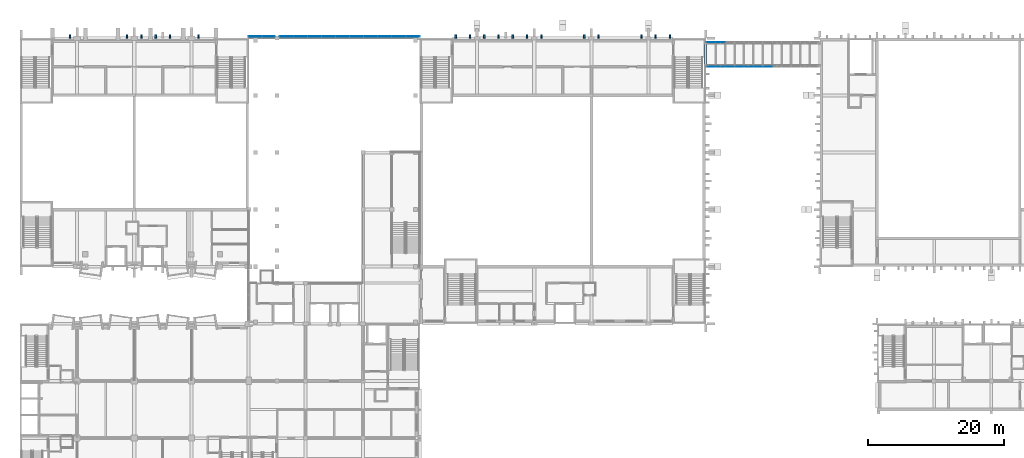
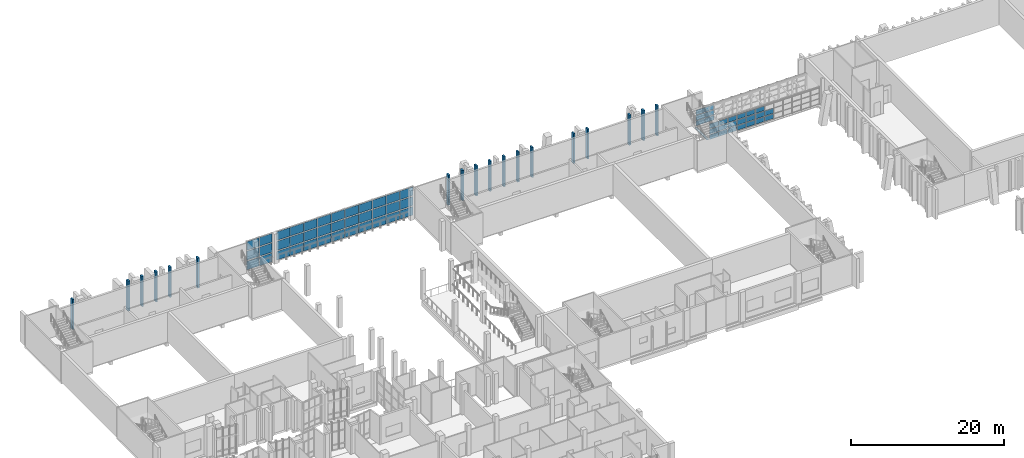
# One storey, part 25 of 91: 81 plates, 4 elements without a shape of their own.
"""IFC4 building model written with IfcOpenShell, lengths in metres."""

from ifc_helpers import new_model, si_unit, direction, frame, origin, origin_2d, place, context, subcontext, project, spatial, rectangle, extrude, material, layer, layer_set, type_object, element, aggregate, save


model = new_model("IFC4")

# Units and contexts
model_context = context("Model", 3, precision=1e-05, world=origin(), true_north=direction((0.0, 1.0)))
body_context = subcontext(model_context, "Body", "Model", "MODEL_VIEW")
ifc_project = project(units=[si_unit("LENGTHUNIT", "METRE"), si_unit("AREAUNIT", "SQUARE_METRE"), si_unit("VOLUMEUNIT", "CUBIC_METRE"), si_unit("PLANEANGLEUNIT", "RADIAN"), si_unit("MASSUNIT", "GRAM", prefix="KILO")], contexts=[model_context])

# Site, building, storey
site_placement = place(None, origin())
site = spatial("IfcSite", under=ifc_project, at=site_placement, CompositionType="ELEMENT")
building_placement = place(site_placement, origin())
building = spatial("IfcBuilding", under=site, at=building_placement, Name="Kiln Court Media Centre", CompositionType="ELEMENT")
storey_placement = place(building_placement, frame((0.0, 0.0, 5.39990234375)))
storey = spatial("IfcBuildingStorey", under=building, at=storey_placement, Name="L01", CompositionType="ELEMENT", Elevation=5.39990234375)

# Plates
ifc_material_1 = material(Name="Concrete C40/50", Category="concrete")
ifc_layer_1 = layer(ifc_material_1, 0.25)
ifc_layer_set_1 = layer_set([ifc_layer_1], Name="Concrete C40/50 shading fin 250")
plate_type_1 = type_object("IfcPlateType", Name="Concrete C40/50 shading fin 250", PredefinedType="SHEET", material=ifc_layer_set_1)
for number, where, z_axis, x_axis, name in (
    (1, (64.050048828125, 67.449951171875, 0.0), (0.0, 0.0, 1.0), (1.0, 0.0, 0.0), "V1 N fin L01"),
    (2, (66.14990234375, 67.449951171875, 0.0), (0.0, 0.0, 1.0), (1.0, 0.0, 0.0), "V1 N fin L01"),
    (3, (68.25, 67.449951171875, 0.0), (0.0, 0.0, 1.0), (1.0, 0.0, 0.0), "V1 N fin L01"),
    (4, (70.35009765625, 67.449951171875, 0.0), (0.0, 0.0, 1.0), (1.0, 0.0, 0.0), "V1 N fin L01"),
    (5, (72.449951171875, 67.449951171875, 0.0), (0.0, 0.0, 1.0), (1.0, 0.0, 0.0), "V1 N fin L01"),
    (6, (74.550048828125, 67.449951171875, 0.0), (0.0, 0.0, 1.0), (1.0, 0.0, 0.0), "V1 N fin L01"),
    (7, (76.64990234375, 67.449951171875, 0.0), (0.0, 0.0, 1.0), (1.0, 0.0, 0.0), "V1 N fin L01"),
    (8, (82.949951171875, 67.449951171875, 0.0), (0.0, 0.0, 1.0), (1.0, 0.0, 0.0), "V1 N fin L01"),
    (9, (85.050048828125, 67.449951171875, 0.0), (0.0, 0.0, 1.0), (1.0, 0.0, 0.0), "V1 N fin L01"),
    (10, (91.35009765625, 67.449951171875, 0.0), (0.0, 0.0, 1.0), (1.0, 0.0, 0.0), "V1 N fin L01"),
    (11, (93.449951171875, 67.449951171875, 0.0), (0.0, 0.0, 1.0), (1.0, 0.0, 0.0), "V1 N fin L01"),
    (12, (95.550048828125, 67.449951171875, 0.0), (0.0, 0.0, 1.0), (1.0, 0.0, 0.0), "V1 N fin L01"),
    (13, (7.35009765625, 67.449951171875, 0.0), (0.0, 0.0, 1.0), (1.0, 0.0, 0.0), "V4 N fin L01"),
    (14, (15.75, 67.449951171875, 0.0), (0.0, 0.0, 1.0), (1.0, 0.0, 0.0), "V4 N fin L01"),
    (15, (17.85009765625, 67.449951171875, 0.0), (0.0, 0.0, 1.0), (1.0, 0.0, 0.0), "V4 N fin L01"),
    (16, (19.949951171875, 67.449951171875, 0.0), (0.0, 0.0, 1.0), (1.0, 0.0, 0.0), "V4 N fin L01"),
    (17, (22.050048828125, 67.449951171875, 0.0), (0.0, 0.0, 1.0), (1.0, 0.0, 0.0), "V4 N fin L01"),
    (18, (26.25, 67.449951171875, 0.0), (0.0, 0.0, 1.0), (1.0, 0.0, 0.0), "V4 N fin L01"),
):
    element("IfcPlate", number, at=place(storey_placement, frame(where, z_axis=z_axis, x_axis=x_axis)), inside=storey, type_object=plate_type_1, Name=name, PredefinedType="SHEET", context=body_context, shape_type="SweptSolid", body=[
        extrude(rectangle(XDim=0.25, YDim=0.5, at=origin_2d()), origin(), (0.0, 0.0, 1.0), 4.800048828125),
    ])

# Curtain wall, plates
ifc_material_2 = material(Name="Aluminium 6063-T6", Category="aluminium")
ifc_layer_2 = layer(ifc_material_2, 0.1201171875)
ifc_layer_set_2 = layer_set([ifc_layer_2], Name="Aluminium unitised curtain wall, bridge")
curtain_wall_type_1 = type_object("IfcCurtainWallType", Name="Aluminium unitised curtain wall, bridge", PredefinedType="USERDEFINED", material=ifc_layer_set_2)
curtain_wall_1_placement = place(storey_placement, origin())
curtain_wall_1 = element("IfcCurtainWall", 19, at=curtain_wall_1_placement, inside=storey, type_object=curtain_wall_type_1, Name="BR-3 side glazing", ObjectType="UNITISED CURTAIN WALL", PredefinedType="USERDEFINED")
ifc_material_3 = material(Name="Aluminium insulated spandrel", Category="aluminium")
ifc_layer_3 = layer(ifc_material_3, 0.028076171875)
ifc_layer_set_3 = layer_set([ifc_layer_3], Name="Insulated aluminium spandrel panel 28")
plate_type_2 = type_object("IfcPlateType", Name="Insulated aluminium spandrel panel 28", PredefinedType="CURTAIN_PANEL", material=ifc_layer_set_3)
plate_1_placement = place(storey_placement, frame((101.604248046875, 63.014892578125, 0.10009765625), z_axis=(0.0, 0.0, 1.0), x_axis=(1.0, 0.0, 0.0)))
plate_1 = element("IfcPlate", 20, at=plate_1_placement, type_object=plate_type_2, Name="CW1-63 panel 1.1", PredefinedType="CURTAIN_PANEL", context=body_context, shape_type="SweptSolid", body=[
    extrude(rectangle(XDim=1.308349609375, YDim=0.028076171875, at=origin_2d()), origin(), (0.0, 0.0, 1.0), 0.74169921875),
])
plate_2_placement = place(storey_placement, frame((101.604248046875, 63.014892578125, 0.94189453125), z_axis=(0.0, 0.0, 1.0), x_axis=(1.0, 0.0, 0.0)))
plate_2 = element("IfcPlate", 21, at=plate_2_placement, type_object=plate_type_2, Name="CW1-63 panel 1.2", PredefinedType="CURTAIN_PANEL", context=body_context, shape_type="SweptSolid", body=[
    extrude(rectangle(XDim=1.308349609375, YDim=0.028076171875, at=origin_2d()), origin(), (0.0, 0.0, 1.0), 0.79150390625),
])
plate_3_placement = place(storey_placement, frame((102.97509765625, 63.014892578125, 0.10009765625), z_axis=(0.0, 0.0, 1.0), x_axis=(1.0, 0.0, 0.0)))
plate_3 = element("IfcPlate", 22, at=plate_3_placement, type_object=plate_type_2, Name="CW1-63 panel 2.1", PredefinedType="CURTAIN_PANEL", context=body_context, shape_type="SweptSolid", body=[
    extrude(rectangle(XDim=1.333251953125, YDim=0.028076171875, at=origin_2d()), origin(), (0.0, 0.0, 1.0), 0.74169921875),
])
plate_4_placement = place(storey_placement, frame((102.97509765625, 63.014892578125, 1.83349609375), z_axis=(0.0, 0.0, 1.0), x_axis=(1.0, 0.0, 0.0)))
plate_4 = element("IfcPlate", 23, at=plate_4_placement, type_object=plate_type_2, Name="CW1-63 panel 2.3", PredefinedType="CURTAIN_PANEL", context=body_context, shape_type="SweptSolid", body=[
    extrude(rectangle(XDim=1.333251953125, YDim=0.028076171875, at=origin_2d()), origin(), (0.0, 0.0, 1.0), 0.74169921875),
])
plate_5_placement = place(storey_placement, frame((104.3583984375, 63.014892578125, 0.10009765625), z_axis=(0.0, 0.0, 1.0), x_axis=(1.0, 0.0, 0.0)))
plate_5 = element("IfcPlate", 24, at=plate_5_placement, type_object=plate_type_2, Name="CW1-63 panel 3.1", PredefinedType="CURTAIN_PANEL", context=body_context, shape_type="SweptSolid", body=[
    extrude(rectangle(XDim=1.333251953125, YDim=0.028076171875, at=origin_2d()), origin(), (0.0, 0.0, 1.0), 0.74169921875),
])
plate_6_placement = place(storey_placement, frame((104.3583984375, 63.014892578125, 0.94189453125), z_axis=(0.0, 0.0, 1.0), x_axis=(1.0, 0.0, 0.0)))
plate_6 = element("IfcPlate", 25, at=plate_6_placement, type_object=plate_type_2, Name="CW1-63 panel 3.2", PredefinedType="CURTAIN_PANEL", context=body_context, shape_type="SweptSolid", body=[
    extrude(rectangle(XDim=1.333251953125, YDim=0.028076171875, at=origin_2d()), origin(), (0.0, 0.0, 1.0), 0.79150390625),
])
plate_7_placement = place(storey_placement, frame((104.3583984375, 63.014892578125, 1.83349609375), z_axis=(0.0, 0.0, 1.0), x_axis=(1.0, 0.0, 0.0)))
plate_7 = element("IfcPlate", 26, at=plate_7_placement, type_object=plate_type_2, Name="CW1-63 panel 3.3", PredefinedType="CURTAIN_PANEL", context=body_context, shape_type="SweptSolid", body=[
    extrude(rectangle(XDim=1.333251953125, YDim=0.028076171875, at=origin_2d()), origin(), (0.0, 0.0, 1.0), 0.74169921875),
])
plate_8_placement = place(storey_placement, frame((105.74169921875, 63.014892578125, 0.10009765625), z_axis=(0.0, 0.0, 1.0), x_axis=(1.0, 0.0, 0.0)))
plate_8 = element("IfcPlate", 27, at=plate_8_placement, type_object=plate_type_2, Name="CW1-63 panel 4.1", PredefinedType="CURTAIN_PANEL", context=body_context, shape_type="SweptSolid", body=[
    extrude(rectangle(XDim=1.333251953125, YDim=0.028076171875, at=origin_2d()), origin(), (0.0, 0.0, 1.0), 0.74169921875),
])
plate_9_placement = place(storey_placement, frame((105.74169921875, 63.014892578125, 0.94189453125), z_axis=(0.0, 0.0, 1.0), x_axis=(1.0, 0.0, 0.0)))
plate_9 = element("IfcPlate", 28, at=plate_9_placement, type_object=plate_type_2, Name="CW1-63 panel 4.2", PredefinedType="CURTAIN_PANEL", context=body_context, shape_type="SweptSolid", body=[
    extrude(rectangle(XDim=1.333251953125, YDim=0.028076171875, at=origin_2d()), origin(), (0.0, 0.0, 1.0), 0.79150390625),
])
plate_10_placement = place(storey_placement, frame((107.125, 63.014892578125, 0.10009765625), z_axis=(0.0, 0.0, 1.0), x_axis=(1.0, 0.0, 0.0)))
plate_10 = element("IfcPlate", 29, at=plate_10_placement, type_object=plate_type_2, Name="CW1-63 panel 5.1", PredefinedType="CURTAIN_PANEL", context=body_context, shape_type="SweptSolid", body=[
    extrude(rectangle(XDim=1.333251953125, YDim=0.028076171875, at=origin_2d()), origin(), (0.0, 0.0, 1.0), 0.74169921875),
])
plate_11_placement = place(storey_placement, frame((107.125, 63.014892578125, 1.83349609375), z_axis=(0.0, 0.0, 1.0), x_axis=(1.0, 0.0, 0.0)))
plate_11 = element("IfcPlate", 30, at=plate_11_placement, type_object=plate_type_2, Name="CW1-63 panel 5.3", PredefinedType="CURTAIN_PANEL", context=body_context, shape_type="SweptSolid", body=[
    extrude(rectangle(XDim=1.333251953125, YDim=0.028076171875, at=origin_2d()), origin(), (0.0, 0.0, 1.0), 0.74169921875),
])
plate_12_placement = place(storey_placement, frame((108.50830078125, 63.014892578125, 0.10009765625), z_axis=(0.0, 0.0, 1.0), x_axis=(1.0, 0.0, 0.0)))
plate_12 = element("IfcPlate", 31, at=plate_12_placement, type_object=plate_type_2, Name="CW1-63 panel 6.1", PredefinedType="CURTAIN_PANEL", context=body_context, shape_type="SweptSolid", body=[
    extrude(rectangle(XDim=1.333251953125, YDim=0.028076171875, at=origin_2d()), origin(), (0.0, 0.0, 1.0), 0.74169921875),
])
plate_13_placement = place(storey_placement, frame((108.50830078125, 63.014892578125, 0.94189453125), z_axis=(0.0, 0.0, 1.0), x_axis=(1.0, 0.0, 0.0)))
plate_13 = element("IfcPlate", 32, at=plate_13_placement, type_object=plate_type_2, Name="CW1-63 panel 6.2", PredefinedType="CURTAIN_PANEL", context=body_context, shape_type="SweptSolid", body=[
    extrude(rectangle(XDim=1.333251953125, YDim=0.028076171875, at=origin_2d()), origin(), (0.0, 0.0, 1.0), 0.79150390625),
])
plate_14_placement = place(storey_placement, frame((108.50830078125, 63.014892578125, 1.83349609375), z_axis=(0.0, 0.0, 1.0), x_axis=(1.0, 0.0, 0.0)))
plate_14 = element("IfcPlate", 33, at=plate_14_placement, type_object=plate_type_2, Name="CW1-63 panel 6.3", PredefinedType="CURTAIN_PANEL", context=body_context, shape_type="SweptSolid", body=[
    extrude(rectangle(XDim=1.333251953125, YDim=0.028076171875, at=origin_2d()), origin(), (0.0, 0.0, 1.0), 0.74169921875),
])
plate_15_placement = place(storey_placement, frame((109.8916015625, 63.014892578125, 0.10009765625), z_axis=(0.0, 0.0, 1.0), x_axis=(1.0, 0.0, 0.0)))
plate_15 = element("IfcPlate", 34, at=plate_15_placement, type_object=plate_type_2, Name="CW1-63 panel 7.1", PredefinedType="CURTAIN_PANEL", context=body_context, shape_type="SweptSolid", body=[
    extrude(rectangle(XDim=1.333251953125, YDim=0.028076171875, at=origin_2d()), origin(), (0.0, 0.0, 1.0), 0.74169921875),
])
plate_16_placement = place(storey_placement, frame((109.8916015625, 63.014892578125, 0.94189453125), z_axis=(0.0, 0.0, 1.0), x_axis=(1.0, 0.0, 0.0)))
plate_16 = element("IfcPlate", 35, at=plate_16_placement, type_object=plate_type_2, Name="CW1-63 panel 7.2", PredefinedType="CURTAIN_PANEL", context=body_context, shape_type="SweptSolid", body=[
    extrude(rectangle(XDim=1.333251953125, YDim=0.028076171875, at=origin_2d()), origin(), (0.0, 0.0, 1.0), 0.79150390625),
])

curtain_wall_2_placement = place(storey_placement, origin())
curtain_wall_2 = element("IfcCurtainWall", 36, at=curtain_wall_2_placement, inside=storey, type_object=curtain_wall_type_1, Name="BR-3 side glazing", ObjectType="UNITISED CURTAIN WALL", PredefinedType="USERDEFINED")
plate_17_placement = place(storey_placement, frame((101.604248046875, 66.5849609375, 0.10009765625), z_axis=(0.0, 0.0, 1.0), x_axis=(1.0, 0.0, 0.0)))
plate_17 = element("IfcPlate", 37, at=plate_17_placement, type_object=plate_type_2, Name="CW1-64 panel 1.1", PredefinedType="CURTAIN_PANEL", context=body_context, shape_type="SweptSolid", body=[
    extrude(rectangle(XDim=1.308349609375, YDim=0.028076171875, at=origin_2d()), origin(), (0.0, 0.0, 1.0), 0.74169921875),
])
plate_18_placement = place(storey_placement, frame((101.604248046875, 66.5849609375, 0.94189453125), z_axis=(0.0, 0.0, 1.0), x_axis=(1.0, 0.0, 0.0)))
plate_18 = element("IfcPlate", 38, at=plate_18_placement, type_object=plate_type_2, Name="CW1-64 panel 1.2", PredefinedType="CURTAIN_PANEL", context=body_context, shape_type="SweptSolid", body=[
    extrude(rectangle(XDim=1.308349609375, YDim=0.028076171875, at=origin_2d()), origin(), (0.0, 0.0, 1.0), 0.79150390625),
])
plate_19_placement = place(storey_placement, frame((102.97509765625, 66.5849609375, 0.10009765625), z_axis=(0.0, 0.0, 1.0), x_axis=(1.0, 0.0, 0.0)))
plate_19 = element("IfcPlate", 39, at=plate_19_placement, type_object=plate_type_2, Name="CW1-64 panel 2.1", PredefinedType="CURTAIN_PANEL", context=body_context, shape_type="SweptSolid", body=[
    extrude(rectangle(XDim=1.333251953125, YDim=0.028076171875, at=origin_2d()), origin(), (0.0, 0.0, 1.0), 0.74169921875),
])
plate_20_placement = place(storey_placement, frame((102.97509765625, 66.5849609375, 1.83349609375), z_axis=(0.0, 0.0, 1.0), x_axis=(1.0, 0.0, 0.0)))
plate_20 = element("IfcPlate", 40, at=plate_20_placement, type_object=plate_type_2, Name="CW1-64 panel 2.3", PredefinedType="CURTAIN_PANEL", context=body_context, shape_type="SweptSolid", body=[
    extrude(rectangle(XDim=1.333251953125, YDim=0.028076171875, at=origin_2d()), origin(), (0.0, 0.0, 1.0), 0.74169921875),
])

# Plate
ifc_material_4 = material(Name="Laminated low-E glazing", Category="glass")
ifc_layer_4 = layer(ifc_material_4, 0.028076171875)
ifc_layer_set_4 = layer_set([ifc_layer_4], Name="Laminated low-E glazed panel 28")
plate_type_3 = type_object("IfcPlateType", Name="Laminated low-E glazed panel 28", PredefinedType="CURTAIN_PANEL", material=ifc_layer_set_4)
plate_21_placement = place(storey_placement, frame((101.604248046875, 63.014892578125, 1.83349609375), z_axis=(0.0, 0.0, 1.0), x_axis=(1.0, 0.0, 0.0)))
plate_21 = element("IfcPlate", 41, at=plate_21_placement, type_object=plate_type_3, Name="CW1-63 panel 1.3", PredefinedType="CURTAIN_PANEL", context=body_context, shape_type="SweptSolid", body=[
    extrude(rectangle(XDim=1.308349609375, YDim=0.028076171875, at=origin_2d()), origin(), (0.0, 0.0, 1.0), 0.74169921875),
])

plate_22_placement = place(storey_placement, frame((102.97509765625, 63.014892578125, 0.94189453125), z_axis=(0.0, 0.0, 1.0), x_axis=(1.0, 0.0, 0.0)))
plate_22 = element("IfcPlate", 42, at=plate_22_placement, type_object=plate_type_3, Name="CW1-63 panel 2.2", PredefinedType="CURTAIN_PANEL", context=body_context, shape_type="SweptSolid", body=[
    extrude(rectangle(XDim=1.333251953125, YDim=0.028076171875, at=origin_2d()), origin(), (0.0, 0.0, 1.0), 0.79150390625),
])

plate_23_placement = place(storey_placement, frame((105.74169921875, 63.014892578125, 1.83349609375), z_axis=(0.0, 0.0, 1.0), x_axis=(1.0, 0.0, 0.0)))
plate_23 = element("IfcPlate", 43, at=plate_23_placement, type_object=plate_type_3, Name="CW1-63 panel 4.3", PredefinedType="CURTAIN_PANEL", context=body_context, shape_type="SweptSolid", body=[
    extrude(rectangle(XDim=1.333251953125, YDim=0.028076171875, at=origin_2d()), origin(), (0.0, 0.0, 1.0), 0.74169921875),
])

plate_24_placement = place(storey_placement, frame((107.125, 63.014892578125, 0.94189453125), z_axis=(0.0, 0.0, 1.0), x_axis=(1.0, 0.0, 0.0)))
plate_24 = element("IfcPlate", 44, at=plate_24_placement, type_object=plate_type_3, Name="CW1-63 panel 5.2", PredefinedType="CURTAIN_PANEL", context=body_context, shape_type="SweptSolid", body=[
    extrude(rectangle(XDim=1.333251953125, YDim=0.028076171875, at=origin_2d()), origin(), (0.0, 0.0, 1.0), 0.79150390625),
])

aggregate(curtain_wall_1, [plate_1, plate_2, plate_21, plate_3, plate_22, plate_4, plate_5, plate_6, plate_7, plate_8, plate_9, plate_23, plate_10, plate_24, plate_11, plate_12, plate_13, plate_14, plate_15, plate_16])

plate_25_placement = place(storey_placement, frame((101.604248046875, 66.5849609375, 1.83349609375), z_axis=(0.0, 0.0, 1.0), x_axis=(1.0, 0.0, 0.0)))
plate_25 = element("IfcPlate", 45, at=plate_25_placement, type_object=plate_type_3, Name="CW1-64 panel 1.3", PredefinedType="CURTAIN_PANEL", context=body_context, shape_type="SweptSolid", body=[
    extrude(rectangle(XDim=1.308349609375, YDim=0.028076171875, at=origin_2d()), origin(), (0.0, 0.0, 1.0), 0.74169921875),
])

plate_26_placement = place(storey_placement, frame((102.97509765625, 66.5849609375, 0.94189453125), z_axis=(0.0, 0.0, 1.0), x_axis=(1.0, 0.0, 0.0)))
plate_26 = element("IfcPlate", 46, at=plate_26_placement, type_object=plate_type_3, Name="CW1-64 panel 2.2", PredefinedType="CURTAIN_PANEL", context=body_context, shape_type="SweptSolid", body=[
    extrude(rectangle(XDim=1.333251953125, YDim=0.028076171875, at=origin_2d()), origin(), (0.0, 0.0, 1.0), 0.79150390625),
])

aggregate(curtain_wall_2, [plate_17, plate_18, plate_25, plate_19, plate_26, plate_20])

# Curtain wall, plates
ifc_material_5 = material(Name="Aluminium 6063-T6", Category="aluminium")
ifc_layer_5 = layer(ifc_material_5, 0.1201171875)
ifc_layer_set_5 = layer_set([ifc_layer_5], Name="Aluminium stick curtain wall, foyer")
curtain_wall_type_2 = type_object("IfcCurtainWallType", Name="Aluminium stick curtain wall, foyer", PredefinedType="USERDEFINED", material=ifc_layer_set_5)
curtain_wall_3_placement = place(storey_placement, origin())
curtain_wall_3 = element("IfcCurtainWall", 47, at=curtain_wall_3_placement, inside=storey, type_object=curtain_wall_type_2, Name="Foyer north glazing L01", ObjectType="STICK CURTAIN WALL", PredefinedType="USERDEFINED")
ifc_material_6 = material(Name="Laminated low-E glazing", Category="glass")
ifc_layer_6 = layer(ifc_material_6, 0.035888671875)
ifc_layer_set_6 = layer_set([ifc_layer_6], Name="Laminated low-E glazed panel 36")
plate_type_4 = type_object("IfcPlateType", Name="Laminated low-E glazed panel 36", PredefinedType="CURTAIN_PANEL", material=ifc_layer_set_6)
plate_27_placement = place(storey_placement, frame((34.590087890625, 67.444580078125, 0.150146484375), z_axis=(0.0, 0.0, 1.0), x_axis=(1.0, 0.0, 0.0)))
plate_27 = element("IfcPlate", 48, at=plate_27_placement, type_object=plate_type_4, Name="CW1-60 panel 1.1", PredefinedType="CURTAIN_PANEL", context=body_context, shape_type="SweptSolid", body=[
    extrude(rectangle(XDim=1.860107421875, YDim=0.035888671875, at=origin_2d()), origin(), (0.0, 0.0, 1.0), 1.375),
])
plate_28_placement = place(storey_placement, frame((34.590087890625, 67.444580078125, 1.67529296875), z_axis=(0.0, 0.0, 1.0), x_axis=(1.0, 0.0, 0.0)))
plate_28 = element("IfcPlate", 49, at=plate_28_placement, type_object=plate_type_4, Name="CW1-60 panel 1.2", PredefinedType="CURTAIN_PANEL", context=body_context, shape_type="SweptSolid", body=[
    extrude(rectangle(XDim=1.860107421875, YDim=0.035888671875, at=origin_2d()), origin(), (0.0, 0.0, 1.0), 1.449951171875),
])
plate_29_placement = place(storey_placement, frame((34.590087890625, 67.444580078125, 3.275146484375), z_axis=(0.0, 0.0, 1.0), x_axis=(1.0, 0.0, 0.0)))
plate_29 = element("IfcPlate", 50, at=plate_29_placement, type_object=plate_type_4, Name="CW1-60 panel 1.3", PredefinedType="CURTAIN_PANEL", context=body_context, shape_type="SweptSolid", body=[
    extrude(rectangle(XDim=1.860107421875, YDim=0.035888671875, at=origin_2d()), origin(), (0.0, 0.0, 1.0), 1.375),
])
plate_30_placement = place(storey_placement, frame((36.510009765625, 67.444580078125, 0.150146484375), z_axis=(0.0, 0.0, 1.0), x_axis=(1.0, 0.0, 0.0)))
plate_30 = element("IfcPlate", 51, at=plate_30_placement, type_object=plate_type_4, Name="CW1-60 panel 2.1", PredefinedType="CURTAIN_PANEL", context=body_context, shape_type="SweptSolid", body=[
    extrude(rectangle(XDim=1.860107421875, YDim=0.035888671875, at=origin_2d()), origin(), (0.0, 0.0, 1.0), 1.375),
])
plate_31_placement = place(storey_placement, frame((36.510009765625, 67.444580078125, 1.67529296875), z_axis=(0.0, 0.0, 1.0), x_axis=(1.0, 0.0, 0.0)))
plate_31 = element("IfcPlate", 52, at=plate_31_placement, type_object=plate_type_4, Name="CW1-60 panel 2.2", PredefinedType="CURTAIN_PANEL", context=body_context, shape_type="SweptSolid", body=[
    extrude(rectangle(XDim=1.860107421875, YDim=0.035888671875, at=origin_2d()), origin(), (0.0, 0.0, 1.0), 1.449951171875),
])
plate_32_placement = place(storey_placement, frame((36.510009765625, 67.444580078125, 3.275146484375), z_axis=(0.0, 0.0, 1.0), x_axis=(1.0, 0.0, 0.0)))
plate_32 = element("IfcPlate", 53, at=plate_32_placement, type_object=plate_type_4, Name="CW1-60 panel 2.3", PredefinedType="CURTAIN_PANEL", context=body_context, shape_type="SweptSolid", body=[
    extrude(rectangle(XDim=1.860107421875, YDim=0.035888671875, at=origin_2d()), origin(), (0.0, 0.0, 1.0), 1.375),
])
aggregate(curtain_wall_3, [plate_27, plate_28, plate_29, plate_30, plate_31, plate_32])

curtain_wall_4_placement = place(storey_placement, origin())
curtain_wall_4 = element("IfcCurtainWall", 54, at=curtain_wall_4_placement, inside=storey, type_object=curtain_wall_type_2, Name="Foyer north glazing L01", ObjectType="STICK CURTAIN WALL", PredefinedType="USERDEFINED")
plate_33_placement = place(storey_placement, frame((39.14990234375, 67.444580078125, 0.150146484375), z_axis=(0.0, 0.0, 1.0), x_axis=(1.0, 0.0, 0.0)))
plate_33 = element("IfcPlate", 55, at=plate_33_placement, type_object=plate_type_4, Name="CW1-61 panel 1.1", PredefinedType="CURTAIN_PANEL", context=body_context, shape_type="SweptSolid", body=[
    extrude(rectangle(XDim=1.97998046875, YDim=0.035888671875, at=origin_2d()), origin(), (0.0, 0.0, 1.0), 1.375),
])
plate_34_placement = place(storey_placement, frame((39.14990234375, 67.444580078125, 1.67529296875), z_axis=(0.0, 0.0, 1.0), x_axis=(1.0, 0.0, 0.0)))
plate_34 = element("IfcPlate", 56, at=plate_34_placement, type_object=plate_type_4, Name="CW1-61 panel 1.2", PredefinedType="CURTAIN_PANEL", context=body_context, shape_type="SweptSolid", body=[
    extrude(rectangle(XDim=1.97998046875, YDim=0.035888671875, at=origin_2d()), origin(), (0.0, 0.0, 1.0), 1.449951171875),
])
plate_35_placement = place(storey_placement, frame((39.14990234375, 67.444580078125, 3.275146484375), z_axis=(0.0, 0.0, 1.0), x_axis=(1.0, 0.0, 0.0)))
plate_35 = element("IfcPlate", 57, at=plate_35_placement, type_object=plate_type_4, Name="CW1-61 panel 1.3", PredefinedType="CURTAIN_PANEL", context=body_context, shape_type="SweptSolid", body=[
    extrude(rectangle(XDim=1.97998046875, YDim=0.035888671875, at=origin_2d()), origin(), (0.0, 0.0, 1.0), 1.375),
])
plate_36_placement = place(storey_placement, frame((41.205078125, 67.444580078125, 0.150146484375), z_axis=(0.0, 0.0, 1.0), x_axis=(1.0, 0.0, 0.0)))
plate_36 = element("IfcPlate", 58, at=plate_36_placement, type_object=plate_type_4, Name="CW1-61 panel 2.1", PredefinedType="CURTAIN_PANEL", context=body_context, shape_type="SweptSolid", body=[
    extrude(rectangle(XDim=2.010009765625, YDim=0.035888671875, at=origin_2d()), origin(), (0.0, 0.0, 1.0), 1.375),
])
plate_37_placement = place(storey_placement, frame((41.205078125, 67.444580078125, 1.67529296875), z_axis=(0.0, 0.0, 1.0), x_axis=(1.0, 0.0, 0.0)))
plate_37 = element("IfcPlate", 59, at=plate_37_placement, type_object=plate_type_4, Name="CW1-61 panel 2.2", PredefinedType="CURTAIN_PANEL", context=body_context, shape_type="SweptSolid", body=[
    extrude(rectangle(XDim=2.010009765625, YDim=0.035888671875, at=origin_2d()), origin(), (0.0, 0.0, 1.0), 1.449951171875),
])
plate_38_placement = place(storey_placement, frame((41.205078125, 67.444580078125, 3.275146484375), z_axis=(0.0, 0.0, 1.0), x_axis=(1.0, 0.0, 0.0)))
plate_38 = element("IfcPlate", 60, at=plate_38_placement, type_object=plate_type_4, Name="CW1-61 panel 2.3", PredefinedType="CURTAIN_PANEL", context=body_context, shape_type="SweptSolid", body=[
    extrude(rectangle(XDim=2.010009765625, YDim=0.035888671875, at=origin_2d()), origin(), (0.0, 0.0, 1.0), 1.375),
])
plate_39_placement = place(storey_placement, frame((43.27490234375, 67.444580078125, 0.150146484375), z_axis=(0.0, 0.0, 1.0), x_axis=(1.0, 0.0, 0.0)))
plate_39 = element("IfcPlate", 61, at=plate_39_placement, type_object=plate_type_4, Name="CW1-61 panel 3.1", PredefinedType="CURTAIN_PANEL", context=body_context, shape_type="SweptSolid", body=[
    extrude(rectangle(XDim=2.010009765625, YDim=0.035888671875, at=origin_2d()), origin(), (0.0, 0.0, 1.0), 1.375),
])
plate_40_placement = place(storey_placement, frame((43.27490234375, 67.444580078125, 1.67529296875), z_axis=(0.0, 0.0, 1.0), x_axis=(1.0, 0.0, 0.0)))
plate_40 = element("IfcPlate", 62, at=plate_40_placement, type_object=plate_type_4, Name="CW1-61 panel 3.2", PredefinedType="CURTAIN_PANEL", context=body_context, shape_type="SweptSolid", body=[
    extrude(rectangle(XDim=2.010009765625, YDim=0.035888671875, at=origin_2d()), origin(), (0.0, 0.0, 1.0), 1.449951171875),
])
plate_41_placement = place(storey_placement, frame((43.27490234375, 67.444580078125, 3.275146484375), z_axis=(0.0, 0.0, 1.0), x_axis=(1.0, 0.0, 0.0)))
plate_41 = element("IfcPlate", 63, at=plate_41_placement, type_object=plate_type_4, Name="CW1-61 panel 3.3", PredefinedType="CURTAIN_PANEL", context=body_context, shape_type="SweptSolid", body=[
    extrude(rectangle(XDim=2.010009765625, YDim=0.035888671875, at=origin_2d()), origin(), (0.0, 0.0, 1.0), 1.375),
])
plate_42_placement = place(storey_placement, frame((45.344970703125, 67.444580078125, 0.150146484375), z_axis=(0.0, 0.0, 1.0), x_axis=(1.0, 0.0, 0.0)))
plate_42 = element("IfcPlate", 64, at=plate_42_placement, type_object=plate_type_4, Name="CW1-61 panel 4.1", PredefinedType="CURTAIN_PANEL", context=body_context, shape_type="SweptSolid", body=[
    extrude(rectangle(XDim=2.010009765625, YDim=0.035888671875, at=origin_2d()), origin(), (0.0, 0.0, 1.0), 1.375),
])
plate_43_placement = place(storey_placement, frame((45.344970703125, 67.444580078125, 1.67529296875), z_axis=(0.0, 0.0, 1.0), x_axis=(1.0, 0.0, 0.0)))
plate_43 = element("IfcPlate", 65, at=plate_43_placement, type_object=plate_type_4, Name="CW1-61 panel 4.2", PredefinedType="CURTAIN_PANEL", context=body_context, shape_type="SweptSolid", body=[
    extrude(rectangle(XDim=2.010009765625, YDim=0.035888671875, at=origin_2d()), origin(), (0.0, 0.0, 1.0), 1.449951171875),
])
plate_44_placement = place(storey_placement, frame((45.344970703125, 67.444580078125, 3.275146484375), z_axis=(0.0, 0.0, 1.0), x_axis=(1.0, 0.0, 0.0)))
plate_44 = element("IfcPlate", 66, at=plate_44_placement, type_object=plate_type_4, Name="CW1-61 panel 4.3", PredefinedType="CURTAIN_PANEL", context=body_context, shape_type="SweptSolid", body=[
    extrude(rectangle(XDim=2.010009765625, YDim=0.035888671875, at=origin_2d()), origin(), (0.0, 0.0, 1.0), 1.375),
])
plate_45_placement = place(storey_placement, frame((47.4150390625, 67.444580078125, 0.150146484375), z_axis=(0.0, 0.0, 1.0), x_axis=(1.0, 0.0, 0.0)))
plate_45 = element("IfcPlate", 67, at=plate_45_placement, type_object=plate_type_4, Name="CW1-61 panel 5.1", PredefinedType="CURTAIN_PANEL", context=body_context, shape_type="SweptSolid", body=[
    extrude(rectangle(XDim=2.010009765625, YDim=0.035888671875, at=origin_2d()), origin(), (0.0, 0.0, 1.0), 1.375),
])
plate_46_placement = place(storey_placement, frame((47.4150390625, 67.444580078125, 1.67529296875), z_axis=(0.0, 0.0, 1.0), x_axis=(1.0, 0.0, 0.0)))
plate_46 = element("IfcPlate", 68, at=plate_46_placement, type_object=plate_type_4, Name="CW1-61 panel 5.2", PredefinedType="CURTAIN_PANEL", context=body_context, shape_type="SweptSolid", body=[
    extrude(rectangle(XDim=2.010009765625, YDim=0.035888671875, at=origin_2d()), origin(), (0.0, 0.0, 1.0), 1.449951171875),
])
plate_47_placement = place(storey_placement, frame((47.4150390625, 67.444580078125, 3.275146484375), z_axis=(0.0, 0.0, 1.0), x_axis=(1.0, 0.0, 0.0)))
plate_47 = element("IfcPlate", 69, at=plate_47_placement, type_object=plate_type_4, Name="CW1-61 panel 5.3", PredefinedType="CURTAIN_PANEL", context=body_context, shape_type="SweptSolid", body=[
    extrude(rectangle(XDim=2.010009765625, YDim=0.035888671875, at=origin_2d()), origin(), (0.0, 0.0, 1.0), 1.375),
])
plate_48_placement = place(storey_placement, frame((49.485107421875, 67.444580078125, 0.150146484375), z_axis=(0.0, 0.0, 1.0), x_axis=(1.0, 0.0, 0.0)))
plate_48 = element("IfcPlate", 70, at=plate_48_placement, type_object=plate_type_4, Name="CW1-61 panel 6.1", PredefinedType="CURTAIN_PANEL", context=body_context, shape_type="SweptSolid", body=[
    extrude(rectangle(XDim=2.010009765625, YDim=0.035888671875, at=origin_2d()), origin(), (0.0, 0.0, 1.0), 1.375),
])
plate_49_placement = place(storey_placement, frame((49.485107421875, 67.444580078125, 1.67529296875), z_axis=(0.0, 0.0, 1.0), x_axis=(1.0, 0.0, 0.0)))
plate_49 = element("IfcPlate", 71, at=plate_49_placement, type_object=plate_type_4, Name="CW1-61 panel 6.2", PredefinedType="CURTAIN_PANEL", context=body_context, shape_type="SweptSolid", body=[
    extrude(rectangle(XDim=2.010009765625, YDim=0.035888671875, at=origin_2d()), origin(), (0.0, 0.0, 1.0), 1.449951171875),
])
plate_50_placement = place(storey_placement, frame((49.485107421875, 67.444580078125, 3.275146484375), z_axis=(0.0, 0.0, 1.0), x_axis=(1.0, 0.0, 0.0)))
plate_50 = element("IfcPlate", 72, at=plate_50_placement, type_object=plate_type_4, Name="CW1-61 panel 6.3", PredefinedType="CURTAIN_PANEL", context=body_context, shape_type="SweptSolid", body=[
    extrude(rectangle(XDim=2.010009765625, YDim=0.035888671875, at=origin_2d()), origin(), (0.0, 0.0, 1.0), 1.375),
])
plate_51_placement = place(storey_placement, frame((51.554931640625, 67.444580078125, 0.150146484375), z_axis=(0.0, 0.0, 1.0), x_axis=(1.0, 0.0, 0.0)))
plate_51 = element("IfcPlate", 73, at=plate_51_placement, type_object=plate_type_4, Name="CW1-61 panel 7.1", PredefinedType="CURTAIN_PANEL", context=body_context, shape_type="SweptSolid", body=[
    extrude(rectangle(XDim=2.010009765625, YDim=0.035888671875, at=origin_2d()), origin(), (0.0, 0.0, 1.0), 1.375),
])
plate_52_placement = place(storey_placement, frame((51.554931640625, 67.444580078125, 1.67529296875), z_axis=(0.0, 0.0, 1.0), x_axis=(1.0, 0.0, 0.0)))
plate_52 = element("IfcPlate", 74, at=plate_52_placement, type_object=plate_type_4, Name="CW1-61 panel 7.2", PredefinedType="CURTAIN_PANEL", context=body_context, shape_type="SweptSolid", body=[
    extrude(rectangle(XDim=2.010009765625, YDim=0.035888671875, at=origin_2d()), origin(), (0.0, 0.0, 1.0), 1.449951171875),
])
plate_53_placement = place(storey_placement, frame((51.554931640625, 67.444580078125, 3.275146484375), z_axis=(0.0, 0.0, 1.0), x_axis=(1.0, 0.0, 0.0)))
plate_53 = element("IfcPlate", 75, at=plate_53_placement, type_object=plate_type_4, Name="CW1-61 panel 7.3", PredefinedType="CURTAIN_PANEL", context=body_context, shape_type="SweptSolid", body=[
    extrude(rectangle(XDim=2.010009765625, YDim=0.035888671875, at=origin_2d()), origin(), (0.0, 0.0, 1.0), 1.375),
])
plate_54_placement = place(storey_placement, frame((53.625, 67.444580078125, 0.150146484375), z_axis=(0.0, 0.0, 1.0), x_axis=(1.0, 0.0, 0.0)))
plate_54 = element("IfcPlate", 76, at=plate_54_placement, type_object=plate_type_4, Name="CW1-61 panel 8.1", PredefinedType="CURTAIN_PANEL", context=body_context, shape_type="SweptSolid", body=[
    extrude(rectangle(XDim=2.010009765625, YDim=0.035888671875, at=origin_2d()), origin(), (0.0, 0.0, 1.0), 1.375),
])
plate_55_placement = place(storey_placement, frame((53.625, 67.444580078125, 1.67529296875), z_axis=(0.0, 0.0, 1.0), x_axis=(1.0, 0.0, 0.0)))
plate_55 = element("IfcPlate", 77, at=plate_55_placement, type_object=plate_type_4, Name="CW1-61 panel 8.2", PredefinedType="CURTAIN_PANEL", context=body_context, shape_type="SweptSolid", body=[
    extrude(rectangle(XDim=2.010009765625, YDim=0.035888671875, at=origin_2d()), origin(), (0.0, 0.0, 1.0), 1.449951171875),
])
plate_56_placement = place(storey_placement, frame((53.625, 67.444580078125, 3.275146484375), z_axis=(0.0, 0.0, 1.0), x_axis=(1.0, 0.0, 0.0)))
plate_56 = element("IfcPlate", 78, at=plate_56_placement, type_object=plate_type_4, Name="CW1-61 panel 8.3", PredefinedType="CURTAIN_PANEL", context=body_context, shape_type="SweptSolid", body=[
    extrude(rectangle(XDim=2.010009765625, YDim=0.035888671875, at=origin_2d()), origin(), (0.0, 0.0, 1.0), 1.375),
])
plate_57_placement = place(storey_placement, frame((55.695068359375, 67.444580078125, 0.150146484375), z_axis=(0.0, 0.0, 1.0), x_axis=(1.0, 0.0, 0.0)))
plate_57 = element("IfcPlate", 79, at=plate_57_placement, type_object=plate_type_4, Name="CW1-61 panel 9.1", PredefinedType="CURTAIN_PANEL", context=body_context, shape_type="SweptSolid", body=[
    extrude(rectangle(XDim=2.010009765625, YDim=0.035888671875, at=origin_2d()), origin(), (0.0, 0.0, 1.0), 1.375),
])
plate_58_placement = place(storey_placement, frame((55.695068359375, 67.444580078125, 1.67529296875), z_axis=(0.0, 0.0, 1.0), x_axis=(1.0, 0.0, 0.0)))
plate_58 = element("IfcPlate", 80, at=plate_58_placement, type_object=plate_type_4, Name="CW1-61 panel 9.2", PredefinedType="CURTAIN_PANEL", context=body_context, shape_type="SweptSolid", body=[
    extrude(rectangle(XDim=2.010009765625, YDim=0.035888671875, at=origin_2d()), origin(), (0.0, 0.0, 1.0), 1.449951171875),
])
plate_59_placement = place(storey_placement, frame((55.695068359375, 67.444580078125, 3.275146484375), z_axis=(0.0, 0.0, 1.0), x_axis=(1.0, 0.0, 0.0)))
plate_59 = element("IfcPlate", 81, at=plate_59_placement, type_object=plate_type_4, Name="CW1-61 panel 9.3", PredefinedType="CURTAIN_PANEL", context=body_context, shape_type="SweptSolid", body=[
    extrude(rectangle(XDim=2.010009765625, YDim=0.035888671875, at=origin_2d()), origin(), (0.0, 0.0, 1.0), 1.375),
])
plate_60_placement = place(storey_placement, frame((57.75, 67.444580078125, 0.150146484375), z_axis=(0.0, 0.0, 1.0), x_axis=(1.0, 0.0, 0.0)))
plate_60 = element("IfcPlate", 82, at=plate_60_placement, type_object=plate_type_4, Name="CW1-61 panel 10.1", PredefinedType="CURTAIN_PANEL", context=body_context, shape_type="SweptSolid", body=[
    extrude(rectangle(XDim=1.97998046875, YDim=0.035888671875, at=origin_2d()), origin(), (0.0, 0.0, 1.0), 1.375),
])
plate_61_placement = place(storey_placement, frame((57.75, 67.444580078125, 1.67529296875), z_axis=(0.0, 0.0, 1.0), x_axis=(1.0, 0.0, 0.0)))
plate_61 = element("IfcPlate", 83, at=plate_61_placement, type_object=plate_type_4, Name="CW1-61 panel 10.2", PredefinedType="CURTAIN_PANEL", context=body_context, shape_type="SweptSolid", body=[
    extrude(rectangle(XDim=1.97998046875, YDim=0.035888671875, at=origin_2d()), origin(), (0.0, 0.0, 1.0), 1.449951171875),
])
plate_62_placement = place(storey_placement, frame((57.75, 67.444580078125, 3.275146484375), z_axis=(0.0, 0.0, 1.0), x_axis=(1.0, 0.0, 0.0)))
plate_62 = element("IfcPlate", 84, at=plate_62_placement, type_object=plate_type_4, Name="CW1-61 panel 10.3", PredefinedType="CURTAIN_PANEL", context=body_context, shape_type="SweptSolid", body=[
    extrude(rectangle(XDim=1.97998046875, YDim=0.035888671875, at=origin_2d()), origin(), (0.0, 0.0, 1.0), 1.375),
])
aggregate(curtain_wall_4, [plate_33, plate_34, plate_35, plate_36, plate_37, plate_38, plate_39, plate_40, plate_41, plate_42, plate_43, plate_44, plate_45, plate_46, plate_47, plate_48, plate_49, plate_50, plate_51, plate_52, plate_53, plate_54, plate_55, plate_56, plate_57, plate_58, plate_59, plate_60, plate_61, plate_62])

# Plate
ifc_material_7 = material(Name="Steel ASTM A572 Gr 50", Category="steel")
ifc_layer_7 = layer(ifc_material_7, 0.010009765625)
ifc_layer_set_7 = layer_set([ifc_layer_7], Name="Steel ASTM A572 Gr 50 300x3200x10 movement joint cover plate")
plate_type_5 = type_object("IfcPlateType", Name="Steel ASTM A572 Gr 50 300x3200x10 movement joint cover plate", PredefinedType="USERDEFINED", material=ifc_layer_set_7)
plate_63_placement = place(storey_placement, frame((100.800048828125, 64.800048828125, -0.001953125), z_axis=(0.0, 0.0, 1.0), x_axis=(1.0, 0.0, 0.0)))
element("IfcPlate", 85, at=plate_63_placement, inside=storey, type_object=plate_type_5, Name="bridge BR-3 joint 1 movement joint cover plate", ObjectType="MOVEMENT JOINT COVER PLATE", PredefinedType="USERDEFINED", context=body_context, shape_type="SweptSolid", body=[
    extrude(rectangle(XDim=0.300048828125, YDim=3.199951171875, at=origin_2d()), origin(), (0.0, 0.0, 1.0), 0.010009765625),
])

save(model, "model.ifc")
